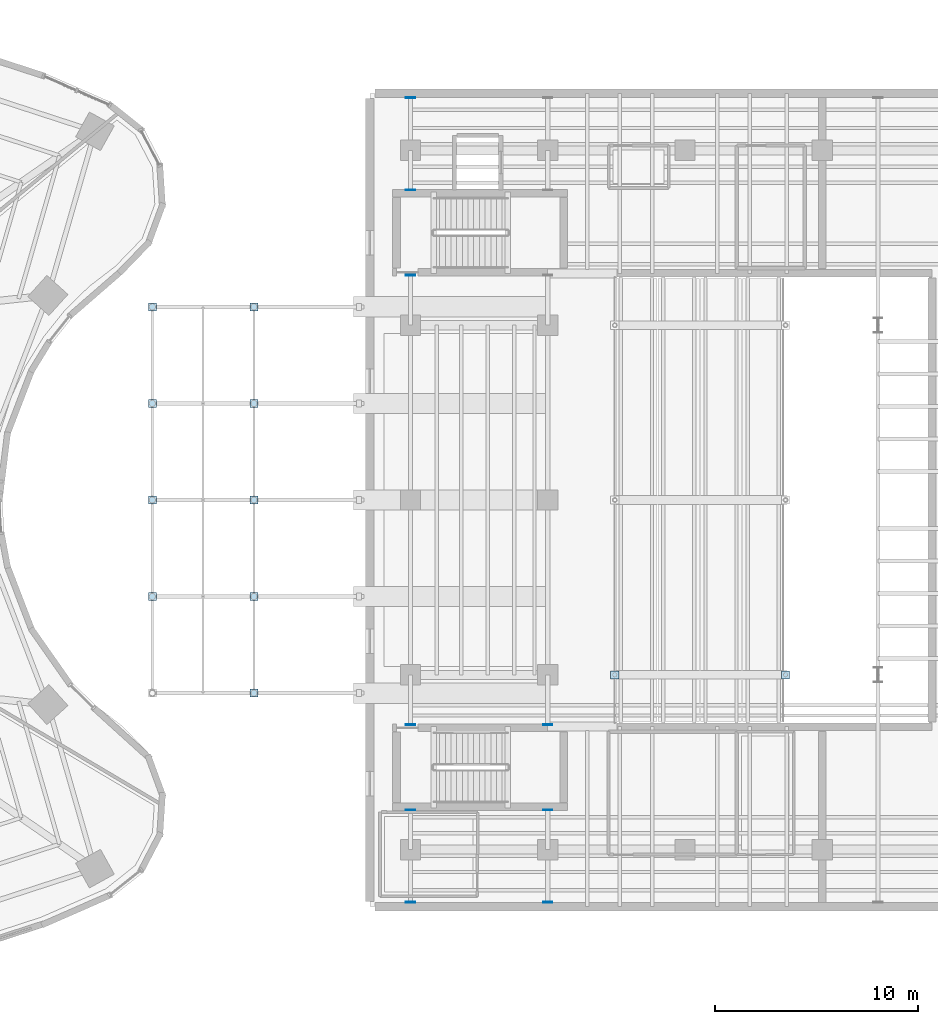
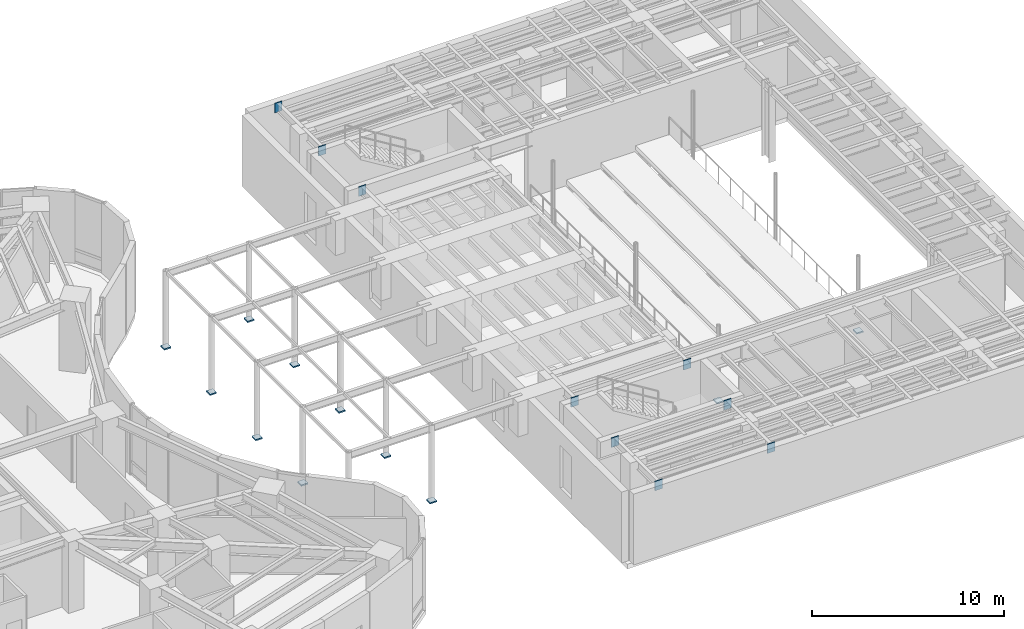
# One storey, part 13 of 24: 20 plates.
"""IFC4 building model written with IfcOpenShell, lengths in metres."""

from ifc_helpers import new_model, si_unit, direction, frame, origin, origin_2d, place, context, subcontext, project, spatial, rectangle, extrude, material, layer, layer_set, type_object, element, save


model = new_model("IFC4")

# Units and contexts
model_context = context("Model", 3, precision=1e-05, world=origin(), true_north=direction((0.0, 1.0)))
body_context = subcontext(model_context, "Body", "Model", "MODEL_VIEW")
ifc_project = project(units=[si_unit("LENGTHUNIT", "METRE"), si_unit("AREAUNIT", "SQUARE_METRE"), si_unit("VOLUMEUNIT", "CUBIC_METRE"), si_unit("PLANEANGLEUNIT", "RADIAN"), si_unit("MASSUNIT", "GRAM", prefix="KILO")], contexts=[model_context])

# Site, building, storey
site_placement = place(None, origin())
site = spatial("IfcSite", under=ifc_project, at=site_placement, CompositionType="ELEMENT")
building_placement = place(site_placement, origin())
building = spatial("IfcBuilding", under=site, at=building_placement, Name="Korentha Bioscience Tower", CompositionType="ELEMENT")
storey_placement = place(building_placement, frame((0.0, 0.0, 5.39990234375)))
storey = spatial("IfcBuildingStorey", under=building, at=storey_placement, Name="L01", CompositionType="ELEMENT", Elevation=5.39990234375)

# Plates
ifc_material = material(Name="Steel S355", Category="steel")
ifc_layer_1 = layer(ifc_material, 0.0400390625, Name="Steel S355")
ifc_layer_set_1 = layer_set([ifc_layer_1], Name="Steel S355 (EP-01)")
plate_type_1 = type_object("IfcPlateType", Name="Cast-In Shear Wall Embed Plate 450x600x40", PredefinedType="USERDEFINED", material=ifc_layer_set_1)
for number, where, z_axis, x_axis, name in (
    (1, (66.5, 7.2099609375, 3.93359375), (0.0, 0.0, 1.0), (1.0, 0.0, 0.0), "L01 Collector Shear-Wall Embed Plate A-1-1"),
    (2, (66.5, 11.75, 3.93359375), (0.0, 0.0, 1.0), (1.0, 0.0, 0.0), "L01 Collector Shear-Wall Embed Plate B-1-2"),
    (3, (66.5, 15.949951171875, 3.93359375), (0.0, 0.0, 1.0), (1.0, 0.0, 0.0), "L01 Collector Shear-Wall Embed Plate A-1-3"),
    (4, (66.5, 38.050048828125, 3.93359375), (0.0, 0.0, 1.0), (1.0, 0.0, 0.0), "L01 Collector Shear-Wall Embed Plate B-1-6"),
    (5, (66.5, 42.25, 3.93359375), (0.0, 0.0, 1.0), (1.0, 0.0, 0.0), "L01 Collector Shear-Wall Embed Plate A-1-7"),
    (6, (66.5, 46.7900390625, 3.93359375), (0.0, 0.0, 1.0), (1.0, 0.0, 0.0), "L01 Collector Shear-Wall Embed Plate B-1-8"),
    (7, (73.25, 7.2099609375, 3.93359375), (0.0, 0.0, 1.0), (1.0, 0.0, 0.0), "L01 Collector Shear-Wall Embed Plate A-2-1"),
    (8, (73.25, 11.75, 3.93359375), (0.0, 0.0, 1.0), (1.0, 0.0, 0.0), "L01 Collector Shear-Wall Embed Plate B-2-2"),
    (9, (73.25, 15.949951171875, 3.93359375), (0.0, 0.0, 1.0), (1.0, 0.0, 0.0), "L01 Collector Shear-Wall Embed Plate A-2-3"),
):
    element("IfcPlate", number, at=place(storey_placement, frame(where, z_axis=z_axis, x_axis=x_axis)), inside=storey, type_object=plate_type_1, Name=name, ObjectType="BASE_PLATE", PredefinedType="USERDEFINED", context=body_context, shape_type="SweptSolid", body=[
        extrude(rectangle(XDim=0.449951171875, YDim=0.0400390625, at=origin_2d()), origin(), (0.0, 0.0, 1.0), 0.60009765625),
    ])
ifc_layer_2 = layer(ifc_material, 0.080078125, Name="Steel S355")
ifc_layer_set_2 = layer_set([ifc_layer_2], Name="Steel S355 (CP-02)")
plate_type_2 = type_object("IfcPlateType", Name="Hollow Section End Cap Plate 400x400x80", PredefinedType="USERDEFINED", material=ifc_layer_set_2)
for number, where, z_axis, x_axis, name in (
    (10, (84.949951171875, 18.39990234375, 0.72705078125), (0.0, 0.0, 1.0), (1.0, 0.0, 0.0), "L01 Raker Post Cap E-18"),
    (11, (76.550048828125, 18.39990234375, -0.764892578125), (0.0, 0.0, 1.0), (1.0, 0.0, 0.0), "L01 Raker Post Cap W-18"),
    (12, (58.800048828125, 17.5, -0.35986328125), (0.0, 0.0, 1.0), (1.0, 0.0, 0.0), "Arcade Column Splice Cap E-01"),
    (13, (58.800048828125, 22.25, -0.35986328125), (0.0, 0.0, 1.0), (1.0, 0.0, 0.0), "Arcade Column Splice Cap E-02"),
    (14, (53.800048828125, 22.25, -0.35986328125), (0.0, 0.0, 1.0), (1.0, 0.0, 0.0), "Arcade Column Splice Cap W-02"),
    (15, (58.800048828125, 27.0, -0.35986328125), (0.0, 0.0, 1.0), (1.0, 0.0, 0.0), "Arcade Column Splice Cap E-03"),
    (16, (53.800048828125, 27.0, -0.35986328125), (0.0, 0.0, 1.0), (1.0, 0.0, 0.0), "Arcade Column Splice Cap W-03"),
    (17, (58.800048828125, 31.75, -0.35986328125), (0.0, 0.0, 1.0), (1.0, 0.0, 0.0), "Arcade Column Splice Cap E-04"),
    (18, (53.800048828125, 31.75, -0.35986328125), (0.0, 0.0, 1.0), (1.0, 0.0, 0.0), "Arcade Column Splice Cap W-04"),
    (19, (58.800048828125, 36.5, -0.35986328125), (0.0, 0.0, 1.0), (1.0, 0.0, 0.0), "Arcade Column Splice Cap E-05"),
    (20, (53.800048828125, 36.5, -0.35986328125), (0.0, 0.0, 1.0), (1.0, 0.0, 0.0), "Arcade Column Splice Cap W-05"),
):
    element("IfcPlate", number, at=place(storey_placement, frame(where, z_axis=z_axis, x_axis=x_axis)), inside=storey, type_object=plate_type_2, Name=name, ObjectType="CAP_PLATE", PredefinedType="USERDEFINED", context=body_context, shape_type="SweptSolid", body=[
        extrude(rectangle(XDim=0.39990234375, YDim=0.39990234375, at=origin_2d()), origin(), (0.0, 0.0, 1.0), 0.080078125),
    ])

save(model, "model.ifc")
